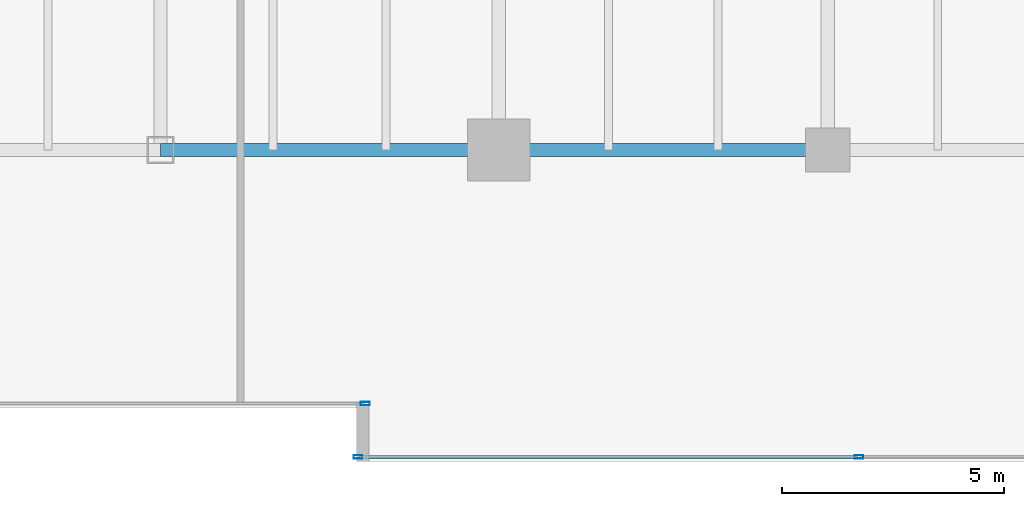
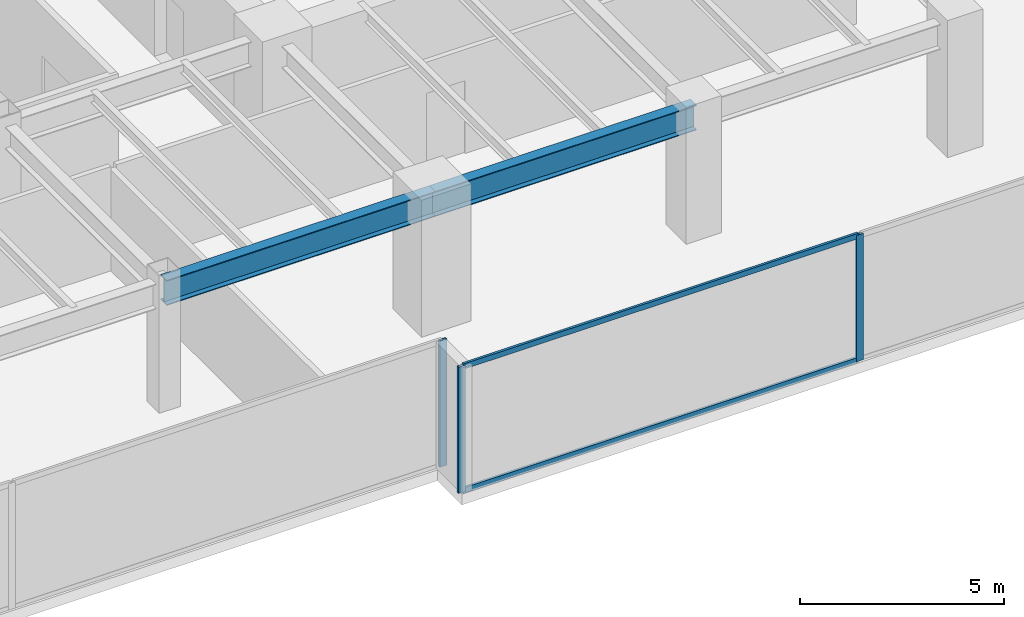
# One storey, part 10 of 35: 5 members, 2 beams, 2 elements without a shape of their own.
"""IFC4 building model written with IfcOpenShell, lengths in metres."""

from ifc_helpers import new_model, si_unit, direction, frame, origin, origin_2d, place, context, subcontext, project, spatial, hollow_rectangle, i_section, extrude, source, transform, mapped, material, layer, layer_set, material_profile, profile_set, type_object, type_shapes, element, aggregate, save


model = new_model("IFC4")

# Units and contexts
model_context = context("Model", 3, precision=1e-05, world=origin(), true_north=direction((0.0, 1.0)))
body_context = subcontext(model_context, "Body", "Model", "MODEL_VIEW")
ifc_project = project(units=[si_unit("LENGTHUNIT", "METRE"), si_unit("AREAUNIT", "SQUARE_METRE"), si_unit("VOLUMEUNIT", "CUBIC_METRE"), si_unit("PLANEANGLEUNIT", "RADIAN"), si_unit("MASSUNIT", "GRAM", prefix="KILO")], contexts=[model_context])

# Site, building, storey
site_placement = place(None, origin())
site = spatial("IfcSite", under=ifc_project, at=site_placement, CompositionType="ELEMENT")
building_placement = place(site_placement, origin())
building = spatial("IfcBuilding", under=site, at=building_placement, Name="Haelvirn Gate Laboratories", CompositionType="ELEMENT")
storey_placement = place(building_placement, frame((0.0, 0.0, 90.800048828125)))
storey = spatial("IfcBuildingStorey", under=building, at=storey_placement, Name="L22", CompositionType="ELEMENT", Elevation=90.800048828125)

# Beams
ifc_material_1 = material(Name="Steel SM355", Category="steel")
ifc_material_profile_1 = material_profile(ifc_material_1, i_section(OverallWidth=0.300048828125, OverallDepth=0.75, WebThickness=0.013916015625, FlangeThickness=0.02392578125, at=origin_2d()), Name="H-750x300x14x24")
ifc_profile_set_1 = profile_set([ifc_material_profile_1], Name="Steel SM355")
beam_type = type_object("IfcBeamType", Name="BM-G-750", PredefinedType="BEAM", material=ifc_profile_set_1)
shared_shape_1 = source(origin(), body_context, "Body", "SweptSolid", [
    extrude(i_section(OverallWidth=0.300048828125, OverallDepth=0.75, WebThickness=0.013916015625, FlangeThickness=0.02392578125, at=origin_2d()), origin(), (0.0, 0.0, 1.0), 7.39990234375),
])
beam_1_placement = place(storey_placement, frame((52.60009765625, 7.0, 3.405029296875), z_axis=(1.0, 0.0, 0.0), x_axis=(0.0, 1.0, 0.0)))
element("IfcBeam", 1, at=beam_1_placement, inside=storey, type_object=beam_type, Name="L22 Primary Girder Y7.0 (52.6-60.0)", PredefinedType="BEAM", context=body_context, shape_type="MappedRepresentation", body=[
    mapped(shared_shape_1, transform((0.0, 0.0, 0.0), scale=1.0)),
])
shared_shape_2 = source(origin(), body_context, "Body", "SweptSolid", [
    extrude(i_section(OverallWidth=0.300048828125, OverallDepth=0.75, WebThickness=0.013916015625, FlangeThickness=0.02392578125, at=origin_2d()), origin(), (0.0, 0.0, 1.0), 7.60009765625),
])
type_shapes(beam_type, [shared_shape_1, shared_shape_2])
beam_2_placement = place(storey_placement, frame((45.0, 7.0, 3.405029296875), z_axis=(1.0, 0.0, 0.0), x_axis=(0.0, 1.0, 0.0)))
element("IfcBeam", 2, at=beam_2_placement, inside=storey, type_object=beam_type, Name="L22 Primary Girder Y7.0 (45.0-52.6)", PredefinedType="BEAM", context=body_context, shape_type="MappedRepresentation", body=[
    mapped(shared_shape_2, transform((0.0, 0.0, 0.0), scale=1.0)),
])

# Curtain wall, member
ifc_material_2 = material(Name="Anodised bronze unitised aluminium & triple low-E glass", Category="aluminium")
ifc_layer = layer(ifc_material_2, 0.18408203125, Name="CW-SYS-2")
ifc_layer_set = layer_set([ifc_layer], Name="Anodised bronze unitised aluminium & triple low-E glass")
curtain_wall_type = type_object("IfcCurtainWallType", Name="CW-SYS-2", PredefinedType="NOTDEFINED", material=ifc_layer_set)
curtain_wall_1_placement = place(storey_placement, origin())
curtain_wall_1 = element("IfcCurtainWall", 3, at=curtain_wall_1_placement, inside=storey, type_object=curtain_wall_type, Name="L22 Unitised Curtain Wall CW-L22-P0-E02-1", PredefinedType="NOTDEFINED")
ifc_material_3 = material(Name="Extruded aluminium 6063-T6 (anodised bronze)", Category="aluminium")
ifc_material_profile_2 = material_profile(ifc_material_3, hollow_rectangle(XDim=0.074951171875, YDim=0.199951171875, WallThickness=0.0048828125, at=origin_2d()), Name="CWM-200x75x5")
ifc_profile_set_2 = profile_set([ifc_material_profile_2], Name="Extruded aluminium 6063-T6 (anodised bronze)")
member_type_1 = type_object("IfcMemberType", Name="CWM-T200", PredefinedType="MULLION", material=ifc_profile_set_2)
shared_shape_3 = source(origin(), body_context, "Body", "SweptSolid", [
    extrude(hollow_rectangle(XDim=0.074951171875, YDim=0.199951171875, WallThickness=0.0048828125, at=origin_2d()), origin(), (0.0, 0.0, 1.0), 3.780029296875),
])
type_shapes(member_type_1, [shared_shape_3])
member_1_placement = place(storey_placement, frame((49.6025390625, 1.300048828125, 0.0), z_axis=(0.0, 0.0, 1.0), x_axis=(0.0, 1.0, 0.0)))
member_1 = element("IfcMember", 4, at=member_1_placement, type_object=member_type_1, Name="CW2 mullion 3", PredefinedType="MULLION", context=body_context, shape_type="MappedRepresentation", body=[
    mapped(shared_shape_3, transform((0.0, 0.0, 0.0), scale=1.0)),
])
aggregate(curtain_wall_1, [member_1])

# Curtain wall, members
curtain_wall_2_placement = place(storey_placement, origin())
curtain_wall_2 = element("IfcCurtainWall", 5, at=curtain_wall_2_placement, inside=storey, type_object=curtain_wall_type, Name="L22 Unitised Curtain Wall CW-L22-P0-E04-1", PredefinedType="NOTDEFINED")
member_2_placement = place(storey_placement, frame((49.4375, 0.10009765625, 0.0), z_axis=(0.0, 0.0, 1.0), x_axis=(0.0, 1.0, 0.0)))
member_2 = element("IfcMember", 6, at=member_2_placement, type_object=member_type_1, Name="CW2 mullion 1", PredefinedType="MULLION", context=body_context, shape_type="MappedRepresentation", body=[
    mapped(shared_shape_3, transform((0.0, 0.0, 0.0), scale=1.0)),
])
member_3_placement = place(storey_placement, frame((60.699951171875, 0.10009765625, 0.0), z_axis=(0.0, 0.0, 1.0), x_axis=(0.0, 1.0, 0.0)))
member_3 = element("IfcMember", 7, at=member_3_placement, type_object=member_type_1, Name="CW2 mullion 2", PredefinedType="MULLION", context=body_context, shape_type="MappedRepresentation", body=[
    mapped(shared_shape_3, transform((0.0, 0.0, 0.0), scale=1.0)),
])
ifc_material_profile_3 = material_profile(ifc_material_3, hollow_rectangle(XDim=0.070068359375, YDim=0.159912109375, WallThickness=0.0048828125, at=origin_2d()), Name="CWT-160x70x5")
ifc_profile_set_3 = profile_set([ifc_material_profile_3], Name="Extruded aluminium 6063-T6 (anodised bronze)")
member_type_2 = type_object("IfcMemberType", Name="CWT-T160", PredefinedType="USERDEFINED", material=ifc_profile_set_3)
shared_shape_4 = source(origin(), body_context, "Body", "SweptSolid", [
    extrude(hollow_rectangle(XDim=0.070068359375, YDim=0.159912109375, WallThickness=0.0048828125, at=origin_2d()), origin(), (0.0, 0.0, 1.0), 11.1875),
])
type_shapes(member_type_2, [shared_shape_4])
member_4_placement = place(storey_placement, frame((49.47509765625, 0.10009765625, 0.034912109375), z_axis=(1.0, 0.0, 0.0), x_axis=(0.0, 1.0, 0.0)))
member_4 = element("IfcMember", 8, at=member_4_placement, type_object=member_type_2, Name="CW2 transom 1.1", ObjectType="TRANSOM", PredefinedType="USERDEFINED", context=body_context, shape_type="MappedRepresentation", body=[
    mapped(shared_shape_4, transform((0.0, 0.0, 0.0), scale=1.0)),
])
member_5_placement = place(storey_placement, frame((49.47509765625, 0.10009765625, 3.744873046875), z_axis=(1.0, 0.0, 0.0), x_axis=(0.0, 1.0, 0.0)))
member_5 = element("IfcMember", 9, at=member_5_placement, type_object=member_type_2, Name="CW2 transom 1.2", ObjectType="TRANSOM", PredefinedType="USERDEFINED", context=body_context, shape_type="MappedRepresentation", body=[
    mapped(shared_shape_4, transform((0.0, 0.0, 0.0), scale=1.0)),
])
aggregate(curtain_wall_2, [member_2, member_3, member_4, member_5])

save(model, "model.ifc")
